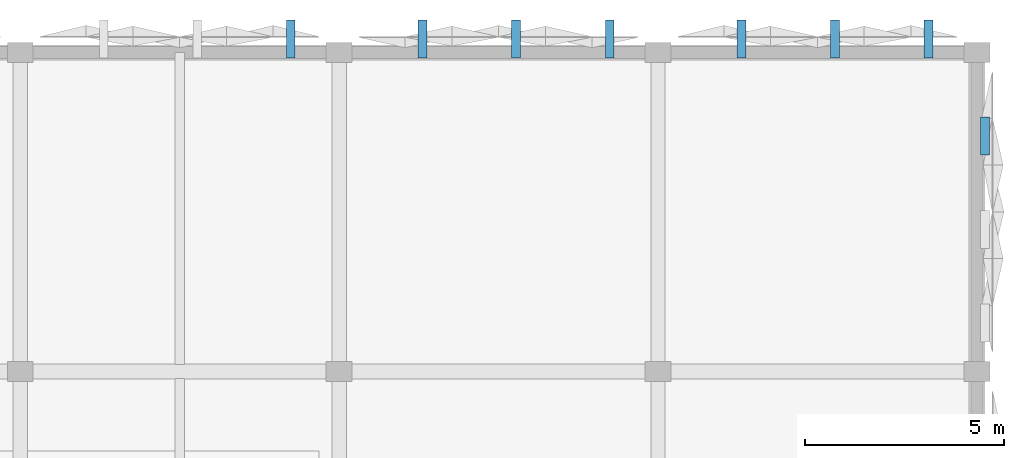
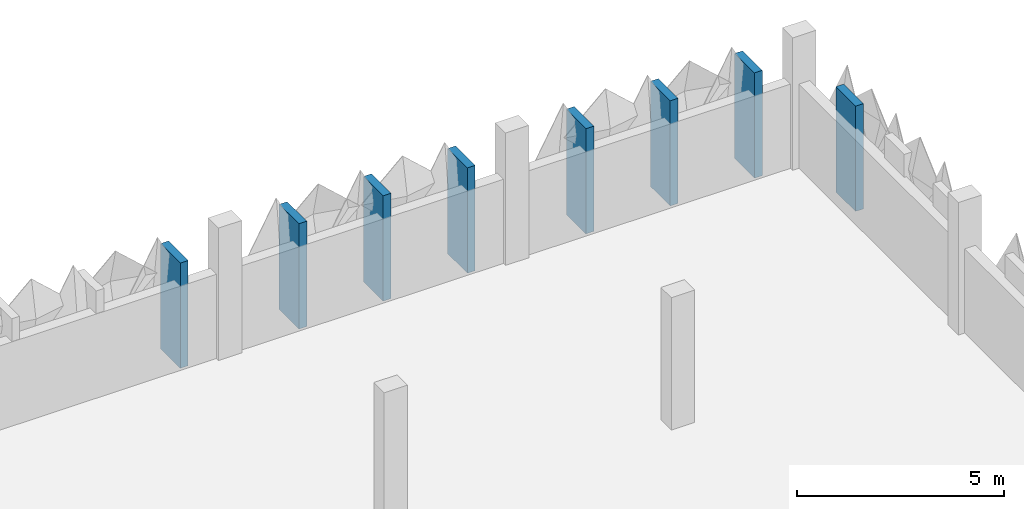
# One storey, part 50 of 76: 8 discrete accessories.
"""IFC4 building model written with IfcOpenShell, lengths in metres."""

from ifc_helpers import new_model, si_unit, derived_unit, direction, frame, origin, origin_2d, place, context, subcontext, project, spatial, rectangle, extrude, material, type_object, element, save


model = new_model("IFC4")

# Units and contexts
model_context = context("Model", 3, precision=1e-05, world=origin(), true_north=direction((0.0, 1.0)))
body_context = subcontext(model_context, "Body", "Model", "MODEL_VIEW")
ifc_project = project(units=[si_unit("LENGTHUNIT", "METRE"), si_unit("AREAUNIT", "SQUARE_METRE"), si_unit("VOLUMEUNIT", "CUBIC_METRE"), si_unit("PLANEANGLEUNIT", "RADIAN"), si_unit("MASSUNIT", "GRAM", prefix="KILO"), si_unit("THERMODYNAMICTEMPERATUREUNIT", "KELVIN"), derived_unit("THERMALTRANSMITTANCEUNIT", [(si_unit("POWERUNIT", "WATT"), 1), (si_unit("AREAUNIT", "SQUARE_METRE"), -1), (si_unit("THERMODYNAMICTEMPERATUREUNIT", "KELVIN"), -1)])], contexts=[model_context])

# Site, building, storey
site_placement = place(None, origin())
site = spatial("IfcSite", under=ifc_project, at=site_placement, CompositionType="ELEMENT")
building_placement = place(site_placement, origin())
building = spatial("IfcBuilding", under=site, at=building_placement, Name="Haiyu Intermodal Mobility Hub", CompositionType="ELEMENT")
storey_placement = place(building_placement, frame((0.0, 0.0, 17.300048828125)))
storey = spatial("IfcBuildingStorey", under=building, at=storey_placement, Name="L04", CompositionType="ELEMENT", Elevation=17.300048828125)

# Discrete accessories
ifc_material = material(Name="Steel Q355C", Category="steel")
discrete_accessory_type = type_object("IfcDiscreteAccessoryType", Name="ACC-BK02", PredefinedType="BRACKET", material=ifc_material)
for number, where, z_axis, x_axis, name in (
    (1, (210.199951171875, 145.906982421875, 0.0498046875), (0.0, 0.0, 1.0), (1.0, 0.0, 0.0), "BRK-PYR-1322"),
    (2, (192.787109375, 148.340087890625, 0.0498046875), (0.0, 0.0, 1.0), (1.0, 0.0, 0.0), "BRK-PYR-1339"),
    (3, (200.787109375, 148.340087890625, 0.0498046875), (0.0, 0.0, 1.0), (1.0, 0.0, 0.0), "BRK-PYR-1346"),
    (4, (198.43994140625, 148.340087890625, 0.0498046875), (0.0, 0.0, 1.0), (1.0, 0.0, 0.0), "BRK-PYR-1349"),
    (5, (196.093017578125, 148.340087890625, 0.0498046875), (0.0, 0.0, 1.0), (1.0, 0.0, 0.0), "BRK-PYR-1350"),
    (6, (208.787109375, 148.340087890625, 0.0498046875), (0.0, 0.0, 1.0), (1.0, 0.0, 0.0), "BRK-PYR-1353"),
    (7, (206.43994140625, 148.340087890625, 0.0498046875), (0.0, 0.0, 1.0), (1.0, 0.0, 0.0), "BRK-PYR-1356"),
    (8, (204.093017578125, 148.340087890625, 0.0498046875), (0.0, 0.0, 1.0), (1.0, 0.0, 0.0), "BRK-PYR-1357"),
):
    element("IfcDiscreteAccessory", number, at=place(storey_placement, frame(where, z_axis=z_axis, x_axis=x_axis)), inside=storey, type_object=discrete_accessory_type, Name=name, PredefinedType="BRACKET", context=body_context, shape_type="SweptSolid", body=[
        extrude(rectangle(XDim=0.219970703125, YDim=0.949951171875, at=origin_2d()), origin(), (0.0, 0.0, 1.0), 3.10009765625),
    ])

save(model, "model.ifc")
